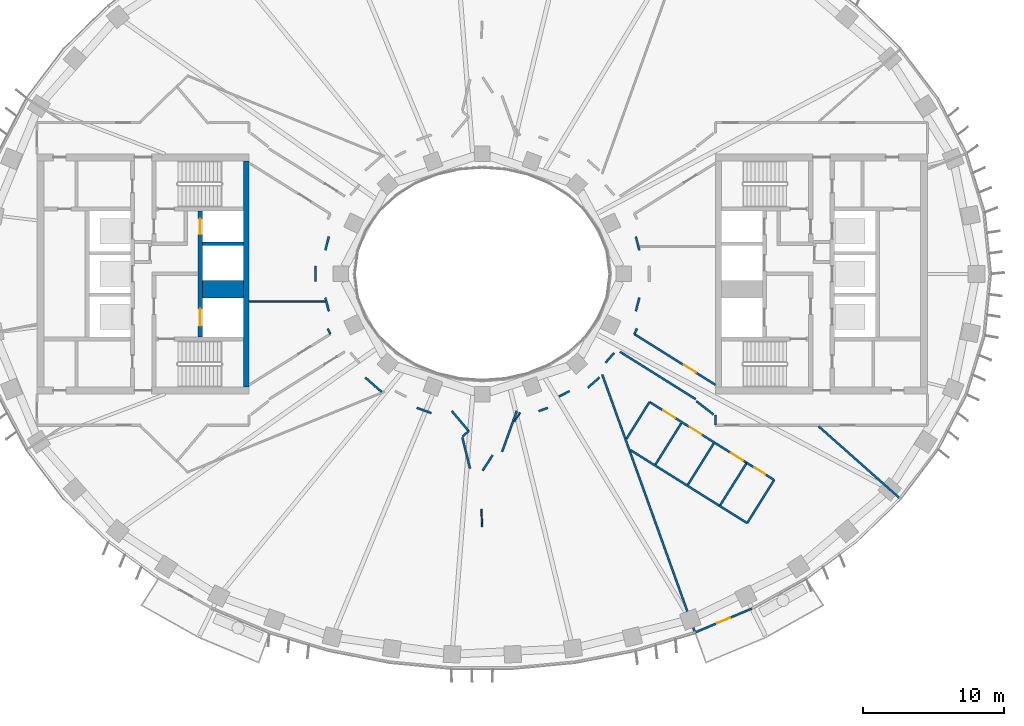
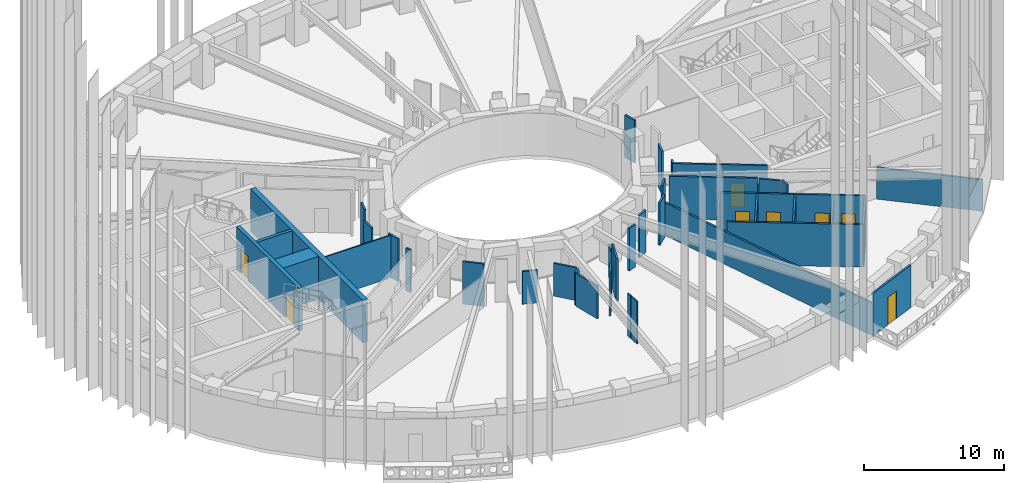
# One storey, part 4 of 19: 43 walls, 8 doors, 8 openings.
"""IFC4 building model written with IfcOpenShell, lengths in metres."""

from ifc_helpers import new_model, si_unit, direction, frame, frame_2d, origin, place, context, subcontext, project, spatial, rectangle, extrude, material, layer, layer_set, type_object, element, fill, save


model = new_model("IFC4")

# Units and contexts
model_context = context("Model", 3, precision=1e-05, world=origin(), true_north=direction((0.0, 1.0)))
body_context = subcontext(model_context, "Body", "Model", "MODEL_VIEW")
ifc_project = project(units=[si_unit("LENGTHUNIT", "METRE"), si_unit("AREAUNIT", "SQUARE_METRE"), si_unit("VOLUMEUNIT", "CUBIC_METRE"), si_unit("PLANEANGLEUNIT", "RADIAN"), si_unit("MASSUNIT", "GRAM", prefix="KILO")], contexts=[model_context])

# Site, building, storey
site_placement = place(None, origin())
site = spatial("IfcSite", under=ifc_project, at=site_placement, CompositionType="ELEMENT")
building_placement = place(site_placement, origin())
building = spatial("IfcBuilding", under=site, at=building_placement, Name="Noorbagh Ring Tower", CompositionType="ELEMENT")
storey_placement = place(building_placement, frame((0.0, 0.0, 146.0)))
storey = spatial("IfcBuildingStorey", under=building, at=storey_placement, Name="L33", CompositionType="ELEMENT", Elevation=146.0)

# Walls
ifc_material_1 = material(Name="Gypsum board on steel studs", Category="steel")
ifc_layer_1 = layer(ifc_material_1, 0.14990234375)
ifc_layer_set_1 = layer_set([ifc_layer_1], Name="Gypsum board on steel studs")
wall_type_1 = type_object("IfcWallType", Name="COMPARTMENT PARTITION 150 EI 60", PredefinedType="PARTITIONING", material=ifc_layer_set_1)
wall_1_placement = place(storey_placement, frame((16.791015625, -16.408935546875, 0.0), z_axis=(0.0, 0.0, 1.0), x_axis=(0.530602380468, 0.847620855006, 0.0)))
element("IfcWall", 1, at=wall_1_placement, inside=storey, type_object=wall_type_1, Name="L33/wall/P86", PredefinedType="PARTITIONING", context=body_context, shape_type="SweptSolid", body=[
    extrude(rectangle(XDim=3.599609375, YDim=0.14990234375, at=frame_2d((1.7998046875, 0.0))), origin(), (0.0, 0.0, 1.0), 3.699951171875),
])
wall_2_placement = place(storey_placement, frame((16.791015625, -16.408935546875, 0.0), z_axis=(0.0, 0.0, 1.0), x_axis=(0.847577713145, -0.530671292026, 0.0)))
element("IfcWall", 2, at=wall_2_placement, inside=storey, type_object=wall_type_1, Name="L33/wall/P87", PredefinedType="PARTITIONING", context=body_context, shape_type="SweptSolid", body=[
    extrude(rectangle(XDim=2.2841796875, YDim=0.14990234375, at=frame_2d((1.14208984375, 0.0))), origin(), (0.0, 0.0, 1.0), 3.699951171875),
])

# Wall, opening, door
wall_3_placement = place(storey_placement, frame((18.700927734375, -13.35791015625, 0.0), z_axis=(0.0, 0.0, 1.0), x_axis=(0.847704532397, -0.530468684989, 0.0)))
wall_3 = element("IfcWall", 3, at=wall_3_placement, inside=storey, type_object=wall_type_1, Name="L33/wall/P88", PredefinedType="PARTITIONING", context=body_context, shape_type="SweptSolid", body=[
    extrude(rectangle(XDim=2.288818359375, YDim=0.14990234375, at=frame_2d((1.14453125, 0.0))), origin(), (0.0, 0.0, 1.0), 3.699951171875),
])
opening_1_placement = place(wall_3_placement, frame((0.64990234375, 0.0, 0.0)))
opening_1 = element("IfcOpeningElement", 4, at=opening_1_placement, cuts=wall_3, Name="Opening D4", PredefinedType="OPENING", context=body_context, shape_type="SweptSolid", body=[
    extrude(rectangle(XDim=0.89990234375, YDim=2.10009765625, at=frame_2d((0.449951171875, 1.050048828125))), frame((0.0, 0.0849609375, 0.0), z_axis=(0.0, -1.0, 0.0), x_axis=(1.0, 0.0, 0.0)), (0.0, 0.0, 1.0), 0.169921875),
])
ifc_material_2 = material(Name="Timber, painted", Category="wood")
door_type_1 = type_object("IfcDoorType", Name="DOOR 900 X 2100 FD60", OperationType="SINGLE_SWING_LEFT", PredefinedType="DOOR", material=ifc_material_2)
door_1_placement = place(opening_1_placement, origin())
door_1 = element("IfcDoor", 5, at=door_1_placement, inside=storey, type_object=door_type_1, Name="L33-D05", OperationType="SINGLE_SWING_LEFT", OverallHeight=2.10009765625, OverallWidth=0.89990234375, PredefinedType="DOOR", context=body_context, shape_type="SweptSolid", body=[
    extrude(rectangle(XDim=0.89990234375, YDim=2.10009765625, at=frame_2d((0.449951171875, 1.050048828125))), frame((0.0, 0.02490234375, 0.0), z_axis=(0.0, -1.0, 0.0), x_axis=(1.0, 0.0, 0.0)), (0.0, 0.0, 1.0), 0.050048828125),
])
fill(opening_1, door_1)

# Walls
wall_4_placement = place(storey_placement, frame((18.73291015625, -17.6201171875, 0.0), z_axis=(0.0, 0.0, 1.0), x_axis=(0.530627347961, 0.847605225088, 0.0)))
element("IfcWall", 6, at=wall_4_placement, inside=storey, type_object=wall_type_1, Name="L33/wall/P89", PredefinedType="PARTITIONING", context=body_context, shape_type="SweptSolid", body=[
    extrude(rectangle(XDim=3.59619140625, YDim=0.14990234375, at=frame_2d((1.798095703125, 0.0))), origin(), (0.0, 0.0, 1.0), 3.699951171875),
])
ifc_material_3 = material(Name="Concrete C60/75", Category="concrete")
ifc_layer_2 = layer(ifc_material_3, 1.25)
ifc_layer_set_2 = layer_set([ifc_layer_2], Name="Concrete C60/75")
wall_type_2 = type_object("IfcWallType", Name="CORE-WALL-1250-C60-75-EI120", PredefinedType="SHEAR", material=ifc_layer_set_2)
wall_5_placement = place(storey_placement, frame((-16.89990234375, -1.074951171875, 0.0), z_axis=(0.0, 0.0, 1.0), x_axis=(-1.0, 0.0, 0.0)))
element("IfcWall", 7, at=wall_5_placement, inside=storey, type_object=wall_type_2, Name="Core wall W", PredefinedType="SHEAR", context=body_context, shape_type="SweptSolid", body=[
    extrude(rectangle(XDim=2.900146484375, YDim=1.25, at=frame_2d((1.4501953125, 0.0))), origin(), (0.0, 0.0, 1.0), 3.699951171875),
])
ifc_material_4 = material(Name="Concrete C60/75", Category="concrete")
ifc_layer_3 = layer(ifc_material_4, 0.25)
ifc_layer_set_3 = layer_set([ifc_layer_3], Name="Concrete C60/75")
wall_type_3 = type_object("IfcWallType", Name="CORE-WALL-250-C60-75-EI120", PredefinedType="SHEAR", material=ifc_layer_set_3)
wall_6_placement = place(storey_placement, frame((-16.89990234375, 2.125, 0.0), z_axis=(0.0, 0.0, 1.0), x_axis=(-1.0, 0.0, 0.0)))
element("IfcWall", 8, at=wall_6_placement, inside=storey, type_object=wall_type_3, Name="Core wall W", PredefinedType="SHEAR", context=body_context, shape_type="SweptSolid", body=[
    extrude(rectangle(XDim=2.900146484375, YDim=0.25, at=frame_2d((1.4501953125, 0.0))), origin(), (0.0, 0.0, 1.0), 3.699951171875),
])

# Wall, openings, doors
ifc_material_5 = material(Name="Concrete C60/75", Category="concrete")
ifc_layer_4 = layer(ifc_material_5, 0.300048828125)
ifc_layer_set_4 = layer_set([ifc_layer_4], Name="Concrete C60/75")
wall_type_4 = type_object("IfcWallType", Name="CORE-WALL-300-C60-75-EI120", PredefinedType="SHEAR", material=ifc_layer_set_4)
wall_7_placement = place(storey_placement, frame((-19.949951171875, -4.449951171875, 0.0), z_axis=(0.0, 0.0, 1.0), x_axis=(0.0, 1.0, 0.0)))
wall_7 = element("IfcWall", 9, at=wall_7_placement, inside=storey, type_object=wall_type_4, Name="Core wall W", PredefinedType="SHEAR", context=body_context, shape_type="SweptSolid", body=[
    extrude(rectangle(XDim=8.89990234375, YDim=0.300048828125, at=frame_2d((4.449951171875, 0.0))), origin(), (0.0, 0.0, 1.0), 3.699951171875),
])
opening_2_placement = place(wall_7_placement, frame((0.77490234375, 0.0, 0.0)))
opening_2 = element("IfcOpeningElement", 10, at=opening_2_placement, cuts=wall_7, Name="Opening L33-CW01", PredefinedType="OPENING", context=body_context, shape_type="SweptSolid", body=[
    extrude(rectangle(XDim=1.199951171875, YDim=2.10009765625, at=frame_2d((0.60009765625, 1.050048828125))), frame((0.0, 0.16015625, 0.0), z_axis=(0.0, -1.0, 0.0), x_axis=(1.0, 0.0, 0.0)), (0.0, 0.0, 1.0), 0.320068359375),
])
opening_3_placement = place(wall_7_placement, frame((7.25, 0.0, 0.0)))
opening_3 = element("IfcOpeningElement", 11, at=opening_3_placement, cuts=wall_7, Name="Opening L33-CW02", PredefinedType="OPENING", context=body_context, shape_type="SweptSolid", body=[
    extrude(rectangle(XDim=1.10009765625, YDim=2.10009765625, at=frame_2d((0.550048828125, 1.050048828125))), frame((0.0, 0.16015625, 0.0), z_axis=(0.0, -1.0, 0.0), x_axis=(1.0, 0.0, 0.0)), (0.0, 0.0, 1.0), 0.320068359375),
])
ifc_material_6 = material(Name="Steel door leaf", Category="steel")
door_type_2 = type_object("IfcDoorType", Name="CORE-DOOR-LD", OperationType="DOUBLE_DOOR_SLIDING", PredefinedType="DOOR", material=ifc_material_6)
door_2_placement = place(opening_3_placement, origin())
door_2 = element("IfcDoor", 12, at=door_2_placement, inside=storey, type_object=door_type_2, Name="Landing door HR1 L33-CW02", OperationType="DOUBLE_DOOR_SLIDING", OverallHeight=2.10009765625, OverallWidth=1.10009765625, PredefinedType="DOOR", context=body_context, shape_type="SweptSolid", body=[
    extrude(rectangle(XDim=1.10009765625, YDim=2.10009765625, at=frame_2d((0.550048828125, 1.050048828125))), frame((0.0, 0.02490234375, 0.0), z_axis=(0.0, -1.0, 0.0), x_axis=(1.0, 0.0, 0.0)), (0.0, 0.0, 1.0), 0.050048828125),
])
fill(opening_3, door_2)
ifc_material_7 = material(Name="Steel door leaf", Category="steel")
door_type_3 = type_object("IfcDoorType", Name="CORE-DOOR-LDW", OperationType="DOUBLE_DOOR_SLIDING", PredefinedType="DOOR", material=ifc_material_7)
door_3_placement = place(opening_2_placement, origin())
door_3 = element("IfcDoor", 13, at=door_3_placement, inside=storey, type_object=door_type_3, Name="Landing door FF1 L33-CW01", OperationType="DOUBLE_DOOR_SLIDING", OverallHeight=2.10009765625, OverallWidth=1.199951171875, PredefinedType="DOOR", context=body_context, shape_type="SweptSolid", body=[
    extrude(rectangle(XDim=1.199951171875, YDim=2.10009765625, at=frame_2d((0.60009765625, 1.050048828125))), frame((0.0, 0.02490234375, 0.0), z_axis=(0.0, -1.0, 0.0), x_axis=(1.0, 0.0, 0.0)), (0.0, 0.0, 1.0), 0.050048828125),
])
fill(opening_2, door_3)

# Walls
ifc_material_8 = material(Name="Concrete C60/75", Category="concrete")
ifc_layer_5 = layer(ifc_material_8, 0.39990234375)
ifc_layer_set_5 = layer_set([ifc_layer_5], Name="Concrete C60/75")
wall_type_5 = type_object("IfcWallType", Name="CORE-WALL-400-C60-75-EI240", PredefinedType="SHEAR", material=ifc_layer_set_5)
wall_8_placement = place(storey_placement, frame((-16.699951171875, -8.0, 0.0), z_axis=(0.0, 0.0, 1.0), x_axis=(0.0, 1.0, 0.0)))
element("IfcWall", 14, at=wall_8_placement, inside=storey, type_object=wall_type_5, Name="Core wall W", PredefinedType="SHEAR", context=body_context, shape_type="SweptSolid", body=[
    extrude(rectangle(XDim=16.0, YDim=0.39990234375, at=frame_2d((8.0, 0.0))), origin(), (0.0, 0.0, 1.0), 3.699951171875),
])
ifc_material_9 = material(Name="Gypsum board on steel studs", Category="steel")
ifc_layer_6 = layer(ifc_material_9, 0.14990234375)
ifc_layer_set_6 = layer_set([ifc_layer_6], Name="Gypsum board on steel studs")
wall_type_6 = type_object("IfcWallType", Name="CORRIDOR PARTITION 150 EI 30", PredefinedType="PARTITIONING", material=ifc_layer_set_6)
wall_9_placement = place(storey_placement, frame((-11.80810546875, -0.550048828125, 0.0), z_axis=(0.0, 0.0, 1.0), x_axis=(0.0, 1.0, 0.0)))
element("IfcWall", 15, at=wall_9_placement, inside=storey, type_object=wall_type_6, Name="L33/wall/P25", PredefinedType="PARTITIONING", context=body_context, shape_type="SweptSolid", body=[
    extrude(rectangle(XDim=1.10009765625, YDim=0.14990234375, at=frame_2d((0.550048828125, 0.0))), origin(), (0.0, 0.0, 1.0), 3.699951171875),
])
for number, where, z_axis, x_axis, name in (
    (16, (-11.10595703125, -1.677001953125, 0.0), (0.0, 0.0, 1.0), (0.251541813796, -0.967846431988, 0.0), "L33/wall/P26"),
    (17, (-11.10595703125, 1.677001953125, 0.0), (0.0, 0.0, 1.0), (0.251541813796, 0.967846431988, 0.0), "L33/wall/P27"),
):
    element("IfcWall", number, at=place(storey_placement, frame(where, z_axis=z_axis, x_axis=x_axis)), inside=storey, type_object=wall_type_6, Name=name, PredefinedType="PARTITIONING", context=body_context, shape_type="SweptSolid", body=[
        extrude(rectangle(XDim=0.993896484375, YDim=0.14990234375, at=frame_2d((0.4970703125, 0.0))), origin(), (0.0, 0.0, 1.0), 3.699951171875),
    ])
wall_10_placement = place(storey_placement, frame((-10.93798828125, -3.863037109375, 0.0), z_axis=(0.0, 0.0, 1.0), x_axis=(0.429758433873, -0.90294390109, 0.0)))
element("IfcWall", 18, at=wall_10_placement, inside=storey, type_object=wall_type_6, Name="L33/wall/P28", PredefinedType="PARTITIONING", context=body_context, shape_type="SweptSolid", body=[
    extrude(rectangle(XDim=0.432861328125, YDim=0.14990234375, at=frame_2d((0.21630859375, 0.0))), origin(), (0.0, 0.0, 1.0), 3.699951171875),
])
wall_11_placement = place(storey_placement, frame((-8.283935546875, -7.322021484375, 0.0), z_axis=(0.0, 0.0, 1.0), x_axis=(0.750666784408, -0.660680996235, 0.0)))
element("IfcWall", 19, at=wall_11_placement, inside=storey, type_object=wall_type_6, Name="L33/wall/P32", PredefinedType="PARTITIONING", context=body_context, shape_type="SweptSolid", body=[
    extrude(rectangle(XDim=1.5546875, YDim=0.14990234375, at=frame_2d((0.77734375, 0.0))), origin(), (0.0, 0.0, 1.0), 3.699951171875),
])
wall_12_placement = place(storey_placement, frame((-4.635986328125, -9.468017578125, 0.0), z_axis=(0.0, 0.0, 1.0), x_axis=(0.939117611585, -0.343595855054, 0.0)))
element("IfcWall", 20, at=wall_12_placement, inside=storey, type_object=wall_type_6, Name="L33/wall/P36", PredefinedType="PARTITIONING", context=body_context, shape_type="SweptSolid", body=[
    extrude(rectangle(XDim=1.099853515625, YDim=0.14990234375, at=frame_2d((0.5498046875, 0.0))), origin(), (0.0, 0.0, 1.0), 2.85009765625),
])
wall_13_placement = place(storey_placement, frame((-2.160888671875, -9.698974609375, 0.0), z_axis=(0.0, 0.0, 1.0), x_axis=(0.646284963147, -0.763096158036, 0.0)))
element("IfcWall", 21, at=wall_13_placement, inside=storey, type_object=wall_type_6, Name="L33/wall/P38", PredefinedType="PARTITIONING", context=body_context, shape_type="SweptSolid", body=[
    extrude(rectangle(XDim=1.851806640625, YDim=0.14990234375, at=frame_2d((0.92578125, 0.0))), origin(), (0.0, 0.0, 1.0), 2.85009765625),
])
wall_14_placement = place(storey_placement, frame((-1.4130859375, -11.571044921875, 0.0), z_axis=(0.0, 0.0, 1.0), x_axis=(0.239729563679, -0.970839706799, 0.0)))
element("IfcWall", 22, at=wall_14_placement, inside=storey, type_object=wall_type_6, Name="L33/wall/P40", PredefinedType="PARTITIONING", context=body_context, shape_type="SweptSolid", body=[
    extrude(rectangle(XDim=2.252685546875, YDim=0.14990234375, at=frame_2d((1.12646484375, 0.0))), origin(), (0.0, 0.0, 1.0), 2.85009765625),
])
wall_15_placement = place(storey_placement, frame((-1.409912109375, -11.507080078125, 0.0), z_axis=(0.0, 0.0, 1.0), x_axis=(0.748448660452, 0.663192734179, 0.0)))
element("IfcWall", 23, at=wall_15_placement, inside=storey, type_object=wall_type_6, Name="L33/wall/P42", PredefinedType="PARTITIONING", context=body_context, shape_type="SweptSolid", body=[
    extrude(rectangle(XDim=0.595703125, YDim=0.14990234375, at=frame_2d((0.2978515625, 0.0))), origin(), (0.0, 0.0, 1.0), 2.85009765625),
])
wall_16_placement = place(storey_placement, frame((0.02001953125, -13.908935546875, 0.0), z_axis=(0.0, 0.0, 1.0), x_axis=(0.545094347518, 0.838374708769, 0.0)))
element("IfcWall", 24, at=wall_16_placement, inside=storey, type_object=wall_type_6, Name="L33/wall/P49", PredefinedType="PARTITIONING", context=body_context, shape_type="SweptSolid", body=[
    extrude(rectangle(XDim=1.29541015625, YDim=0.14990234375, at=frame_2d((0.647705078125, 0.0))), origin(), (0.0, 0.0, 1.0), 3.699951171875),
])
wall_17_placement = place(storey_placement, frame((1.39599609375, -12.5810546875, 0.0), z_axis=(0.0, 0.0, 1.0), x_axis=(0.338582910265, 0.940936561558, 0.0)))
element("IfcWall", 25, at=wall_17_placement, inside=storey, type_object=wall_type_6, Name="L33/wall/P52", PredefinedType="PARTITIONING", context=body_context, shape_type="SweptSolid", body=[
    extrude(rectangle(XDim=1.899169921875, YDim=0.14990234375, at=frame_2d((0.94970703125, 0.0))), origin(), (0.0, 0.0, 1.0), 3.699951171875),
])
wall_18_placement = place(storey_placement, frame((2.0439453125, -10.780029296875, 0.0), z_axis=(0.0, 0.0, 1.0), x_axis=(0.338399406306, 0.941002572691, 0.0)))
element("IfcWall", 26, at=wall_18_placement, inside=storey, type_object=wall_type_6, Name="L33/wall/P53", PredefinedType="PARTITIONING", context=body_context, shape_type="SweptSolid", body=[
    extrude(rectangle(XDim=1.16162109375, YDim=0.14990234375, at=frame_2d((0.580810546875, 0.0))), origin(), (0.0, 0.0, 1.0), 2.85009765625),
])
wall_19_placement = place(storey_placement, frame((3.98291015625, -9.70703125, 0.0), z_axis=(0.0, 0.0, 1.0), x_axis=(0.939084167001, 0.343687252147, 0.0)))
element("IfcWall", 27, at=wall_19_placement, inside=storey, type_object=wall_type_6, Name="L33/wall/P57", PredefinedType="PARTITIONING", context=body_context, shape_type="SweptSolid", body=[
    extrude(rectangle(XDim=0.695556640625, YDim=0.14990234375, at=frame_2d((0.34765625, 0.0))), origin(), (0.0, 0.0, 1.0), 3.699951171875),
])
wall_20_placement = place(storey_placement, frame((5.4169921875, -8.673095703125, 0.0), z_axis=(0.0, 0.0, 1.0), x_axis=(0.889398654128, 0.457132403178, 0.0)))
element("IfcWall", 28, at=wall_20_placement, inside=storey, type_object=wall_type_6, Name="L33/wall/P60", PredefinedType="PARTITIONING", context=body_context, shape_type="SweptSolid", body=[
    extrude(rectangle(XDim=0.844482421875, YDim=0.14990234375, at=frame_2d((0.42236328125, 0.0))), origin(), (0.0, 0.0, 1.0), 3.699951171875),
])
wall_21_placement = place(storey_placement, frame((7.4580078125, -8.049072265625, 0.0), z_axis=(0.0, 0.0, 1.0), x_axis=(0.75060787095, 0.660747927782, 0.0)))
element("IfcWall", 29, at=wall_21_placement, inside=storey, type_object=wall_type_6, Name="L33/wall/P61", PredefinedType="PARTITIONING", context=body_context, shape_type="SweptSolid", body=[
    extrude(rectangle(XDim=1.100341796875, YDim=0.14990234375, at=frame_2d((0.55029296875, 0.0))), origin(), (0.0, 0.0, 1.0), 3.699951171875),
])
wall_22_placement = place(storey_placement, frame((8.47802734375, -7.111083984375, 0.0), z_axis=(0.0, 0.0, 1.0), x_axis=(0.338361922043, -0.941016051782, 0.0)))
element("IfcWall", 30, at=wall_22_placement, inside=storey, type_object=wall_type_6, Name="L33/wall/P63", PredefinedType="PARTITIONING", context=body_context, shape_type="SweptSolid", body=[
    extrude(rectangle(XDim=19.417236328125, YDim=0.14990234375, at=frame_2d((9.70849609375, 0.0))), origin(), (0.0, 0.0, 1.0), 2.85009765625),
])
wall_23_placement = place(storey_placement, frame((8.708984375, -6.284912109375, 0.0), z_axis=(0.0, 0.0, 1.0), x_axis=(0.656365478363, 0.754443078578, 0.0)))
element("IfcWall", 31, at=wall_23_placement, inside=storey, type_object=wall_type_6, Name="L33/wall/P65", PredefinedType="PARTITIONING", context=body_context, shape_type="SweptSolid", body=[
    extrude(rectangle(XDim=0.9384765625, YDim=0.14990234375, at=frame_2d((0.46923828125, 0.0))), origin(), (0.0, 0.0, 1.0), 3.699951171875),
])
wall_24_placement = place(storey_placement, frame((9.736083984375, -5.5048828125, 0.0), z_axis=(0.0, 0.0, 1.0), x_axis=(0.847611500167, -0.53061732424, 0.0)))
element("IfcWall", 32, at=wall_24_placement, inside=storey, type_object=wall_type_6, Name="L33/wall/P67", PredefinedType="PARTITIONING", context=body_context, shape_type="SweptSolid", body=[
    extrude(rectangle(XDim=6.3154296875, YDim=0.14990234375, at=frame_2d((3.15771484375, 0.0))), origin(), (0.0, 0.0, 1.0), 3.699951171875),
])
wall_25_placement = place(storey_placement, frame((10.194091796875, -11.660888671875, 0.0), z_axis=(0.0, 0.0, 1.0), x_axis=(0.530355722606, 0.847775210477, 0.0)))
element("IfcWall", 33, at=wall_25_placement, inside=storey, type_object=wall_type_6, Name="L33/wall/P69", PredefinedType="PARTITIONING", context=body_context, shape_type="SweptSolid", body=[
    extrude(rectangle(XDim=3.074951171875, YDim=0.14990234375, at=frame_2d((1.53759765625, 0.0))), origin(), (0.0, 0.0, 1.0), 3.699951171875),
])
wall_26_placement = place(storey_placement, frame((10.48095703125, -12.458984375, 0.0), z_axis=(0.0, 0.0, 1.0), x_axis=(0.847566924978, -0.530688522283, 0.0)))
element("IfcWall", 34, at=wall_26_placement, inside=storey, type_object=wall_type_6, Name="L33/wall/P70", PredefinedType="PARTITIONING", context=body_context, shape_type="SweptSolid", body=[
    extrude(rectangle(XDim=7.44482421875, YDim=0.14990234375, at=frame_2d((3.722412109375, 0.0))), origin(), (0.0, 0.0, 1.0), 3.699951171875),
])
wall_27_placement = place(storey_placement, frame((10.751953125, -4.25390625, 0.0), z_axis=(0.0, 0.0, 1.0), x_axis=(0.429758433873, 0.90294390109, 0.0)))
element("IfcWall", 35, at=wall_27_placement, inside=storey, type_object=wall_type_6, Name="L33/wall/P71", PredefinedType="PARTITIONING", context=body_context, shape_type="SweptSolid", body=[
    extrude(rectangle(XDim=0.432861328125, YDim=0.14990234375, at=frame_2d((0.21630859375, 0.0))), origin(), (0.0, 0.0, 1.0), 3.699951171875),
])

# Wall, opening, door
wall_28_placement = place(storey_placement, frame((10.751953125, -4.25390625, 0.0), z_axis=(0.0, 0.0, 1.0), x_axis=(0.847690706888, -0.530490777917, 0.0)))
wall_28 = element("IfcWall", 36, at=wall_28_placement, inside=storey, type_object=wall_type_6, Name="L33/wall/P72", PredefinedType="PARTITIONING", context=body_context, shape_type="SweptSolid", body=[
    extrude(rectangle(XDim=6.78076171875, YDim=0.14990234375, at=frame_2d((3.390380859375, 0.0))), origin(), (0.0, 0.0, 1.0), 3.699951171875),
])
opening_4_placement = place(wall_28_placement, frame((4.12939453125, 0.0, 0.0)))
opening_4 = element("IfcOpeningElement", 37, at=opening_4_placement, cuts=wall_28, Name="Opening D1", PredefinedType="OPENING", context=body_context, shape_type="SweptSolid", body=[
    extrude(rectangle(XDim=1.0, YDim=2.10009765625, at=frame_2d((0.5, 1.050048828125))), frame((0.0, 0.0849609375, 0.0), z_axis=(0.0, -1.0, 0.0), x_axis=(1.0, 0.0, 0.0)), (0.0, 0.0, 1.0), 0.169921875),
])
ifc_material_10 = material(Name="Timber, painted", Category="wood")
door_type_4 = type_object("IfcDoorType", Name="DOOR 1000 X 2100 FD30", OperationType="SINGLE_SWING_LEFT", PredefinedType="DOOR", material=ifc_material_10)
door_4_placement = place(opening_4_placement, origin())
door_4 = element("IfcDoor", 38, at=door_4_placement, inside=storey, type_object=door_type_4, Name="L33-D17", OperationType="SINGLE_SWING_LEFT", OverallHeight=2.10009765625, OverallWidth=1.0, PredefinedType="DOOR", context=body_context, shape_type="SweptSolid", body=[
    extrude(rectangle(XDim=1.0, YDim=2.10009765625, at=frame_2d((0.5, 1.050048828125))), frame((0.0, 0.02490234375, 0.0), z_axis=(0.0, -1.0, 0.0), x_axis=(1.0, 0.0, 0.0)), (0.0, 0.0, 1.0), 0.050048828125),
])
fill(opening_4, door_4)

# Walls
for number, where, z_axis, x_axis, name in (
    (39, (10.85595703125, -2.638916015625, 0.0), (0.0, 0.0, 1.0), (0.251541813796, 0.967846431988, 0.0), "L33/wall/P75"),
    (40, (10.85595703125, 2.638916015625, 0.0), (0.0, 0.0, 1.0), (0.251541813796, -0.967846431988, 0.0), "L33/wall/P76"),
):
    element("IfcWall", number, at=place(storey_placement, frame(where, z_axis=z_axis, x_axis=x_axis)), inside=storey, type_object=wall_type_6, Name=name, PredefinedType="PARTITIONING", context=body_context, shape_type="SweptSolid", body=[
        extrude(rectangle(XDim=0.993896484375, YDim=0.14990234375, at=frame_2d((0.4970703125, 0.0))), origin(), (0.0, 0.0, 1.0), 3.699951171875),
    ])

# Wall, openings, doors
wall_29_placement = place(storey_placement, frame((11.824951171875, -9.052978515625, 0.0), z_axis=(0.0, 0.0, 1.0), x_axis=(0.847585513821, -0.530658832737, 0.0)))
wall_29 = element("IfcWall", 41, at=wall_29_placement, inside=storey, type_object=wall_type_6, Name="L33/wall/P79", PredefinedType="PARTITIONING", context=body_context, shape_type="SweptSolid", body=[
    extrude(rectangle(XDim=8.112548828125, YDim=0.14990234375, at=frame_2d((4.05615234375, 0.0))), origin(), (0.0, 0.0, 1.0), 3.699951171875),
])
opening_5_placement = place(wall_29_placement, frame((1.150390625, 0.0, 0.0)))
opening_5 = element("IfcOpeningElement", 42, at=opening_5_placement, cuts=wall_29, Name="Opening D3", PredefinedType="OPENING", context=body_context, shape_type="SweptSolid", body=[
    extrude(rectangle(XDim=1.0, YDim=2.10009765625, at=frame_2d((0.5, 1.050048828125))), frame((0.0, 0.0849609375, 0.0), z_axis=(0.0, -1.0, 0.0), x_axis=(1.0, 0.0, 0.0)), (0.0, 0.0, 1.0), 0.169921875),
])
opening_6_placement = place(wall_29_placement, frame((3.354736328125, 0.0, 0.0)))
opening_6 = element("IfcOpeningElement", 43, at=opening_6_placement, cuts=wall_29, Name="Opening D3", PredefinedType="OPENING", context=body_context, shape_type="SweptSolid", body=[
    extrude(rectangle(XDim=1.0, YDim=2.10009765625, at=frame_2d((0.5, 1.050048828125))), frame((0.0, 0.0849609375, 0.0), z_axis=(0.0, -1.0, 0.0), x_axis=(1.0, 0.0, 0.0)), (0.0, 0.0, 1.0), 0.169921875),
])
opening_7_placement = place(wall_29_placement, frame((6.808349609375, 0.0, 0.0)))
opening_7 = element("IfcOpeningElement", 44, at=opening_7_placement, cuts=wall_29, Name="Opening D3", PredefinedType="OPENING", context=body_context, shape_type="SweptSolid", body=[
    extrude(rectangle(XDim=1.0, YDim=2.10009765625, at=frame_2d((0.5, 1.050048828125))), frame((0.0, 0.0849609375, 0.0), z_axis=(0.0, -1.0, 0.0), x_axis=(1.0, 0.0, 0.0)), (0.0, 0.0, 1.0), 0.169921875),
])
ifc_material_11 = material(Name="Timber, painted", Category="wood")
door_type_5 = type_object("IfcDoorType", Name="DOOR 1000 X 2100 WC", OperationType="SINGLE_SWING_LEFT", PredefinedType="DOOR", material=ifc_material_11)
door_5_placement = place(opening_5_placement, origin())
door_5 = element("IfcDoor", 45, at=door_5_placement, inside=storey, type_object=door_type_5, Name="L33-D02", OperationType="SINGLE_SWING_RIGHT", OverallHeight=2.10009765625, OverallWidth=1.0, PredefinedType="DOOR", context=body_context, shape_type="SweptSolid", body=[
    extrude(rectangle(XDim=1.0, YDim=2.10009765625, at=frame_2d((0.5, 1.050048828125))), frame((0.0, 0.02490234375, 0.0), z_axis=(0.0, -1.0, 0.0), x_axis=(1.0, 0.0, 0.0)), (0.0, 0.0, 1.0), 0.050048828125),
])
fill(opening_5, door_5)
door_6_placement = place(opening_6_placement, origin())
door_6 = element("IfcDoor", 46, at=door_6_placement, inside=storey, type_object=door_type_5, Name="L33-D03", OperationType="SINGLE_SWING_LEFT", OverallHeight=2.10009765625, OverallWidth=1.0, PredefinedType="DOOR", context=body_context, shape_type="SweptSolid", body=[
    extrude(rectangle(XDim=1.0, YDim=2.10009765625, at=frame_2d((0.5, 1.050048828125))), frame((0.0, 0.02490234375, 0.0), z_axis=(0.0, -1.0, 0.0), x_axis=(1.0, 0.0, 0.0)), (0.0, 0.0, 1.0), 0.050048828125),
])
fill(opening_6, door_6)
door_7_placement = place(opening_7_placement, origin())
door_7 = element("IfcDoor", 47, at=door_7_placement, inside=storey, type_object=door_type_5, Name="L33-D04", OperationType="SINGLE_SWING_RIGHT", OverallHeight=2.10009765625, OverallWidth=1.0, PredefinedType="DOOR", context=body_context, shape_type="SweptSolid", body=[
    extrude(rectangle(XDim=1.0, YDim=2.10009765625, at=frame_2d((0.5, 1.050048828125))), frame((0.0, 0.02490234375, 0.0), z_axis=(0.0, -1.0, 0.0), x_axis=(1.0, 0.0, 0.0)), (0.0, 0.0, 1.0), 0.050048828125),
])
fill(opening_7, door_7)

# Walls
wall_30_placement = place(storey_placement, frame((12.2470703125, -13.47607421875, 0.0), z_axis=(0.0, 0.0, 1.0), x_axis=(0.530603340991, 0.847620253727, 0.0)))
element("IfcWall", 48, at=wall_30_placement, inside=storey, type_object=wall_type_6, Name="L33/wall/P80", PredefinedType="PARTITIONING", context=body_context, shape_type="SweptSolid", body=[
    extrude(rectangle(XDim=3.448486328125, YDim=0.14990234375, at=frame_2d((1.72412109375, 0.0))), origin(), (0.0, 0.0, 1.0), 3.699951171875),
])
wall_31_placement = place(storey_placement, frame((14.5390625, -14.910888671875, 0.0), z_axis=(0.0, 0.0, 1.0), x_axis=(0.530507835566, 0.847680031853, 0.0)))
element("IfcWall", 49, at=wall_31_placement, inside=storey, type_object=wall_type_6, Name="L33/wall/P81", PredefinedType="PARTITIONING", context=body_context, shape_type="SweptSolid", body=[
    extrude(rectangle(XDim=3.44921875, YDim=0.14990234375, at=frame_2d((1.724609375, 0.0))), origin(), (0.0, 0.0, 1.0), 3.699951171875),
])
wall_32_placement = place(storey_placement, frame((16.5, -10.699951171875, 0.0), z_axis=(0.0, 0.0, 1.0), x_axis=(0.0, 1.0, 0.0)))
element("IfcWall", 50, at=wall_32_placement, inside=storey, type_object=wall_type_6, Name="L33/wall/P82", PredefinedType="PARTITIONING", context=body_context, shape_type="SweptSolid", body=[
    extrude(rectangle(XDim=0.73583984375, YDim=0.14990234375, at=frame_2d((0.367919921875, 0.0))), origin(), (0.0, 0.0, 1.0), 3.699951171875),
])
wall_33_placement = place(storey_placement, frame((23.784912109375, -10.778076171875, 0.0), z_axis=(0.0, 0.0, 1.0), x_axis=(0.748616873252, -0.663002848472, 0.0)))
element("IfcWall", 51, at=wall_33_placement, inside=storey, type_object=wall_type_6, Name="L33/wall/P90", PredefinedType="PARTITIONING", context=body_context, shape_type="SweptSolid", body=[
    extrude(rectangle(XDim=7.72216796875, YDim=0.14990234375, at=frame_2d((3.861083984375, 0.0))), origin(), (0.0, 0.0, 1.0), 2.75),
])
wall_34_placement = place(storey_placement, frame((16.35205078125, -9.94189453125, 0.0), z_axis=(0.0, 0.0, 1.0), x_axis=(-0.788950226826, 0.614457109643, 0.0)))
element("IfcWall", 52, at=wall_34_placement, inside=storey, type_object=wall_type_6, Name="L33/wall/P97", PredefinedType="PARTITIONING", context=body_context, shape_type="SweptSolid", body=[
    extrude(rectangle(XDim=1.53759765625, YDim=0.14990234375, at=frame_2d((0.768798828125, 0.0))), origin(), (0.0, 0.0, 1.0), 3.699951171875),
])

# Wall, opening, door
ifc_material_12 = material(Name="Insulated aluminium clad panel", Category="aluminium")
ifc_layer_7 = layer(ifc_material_12, 0.14990234375)
ifc_layer_set_7 = layer_set([ifc_layer_7], Name="Insulated aluminium clad panel")
wall_type_7 = type_object("IfcWallType", Name="ENV-WALL-DOOR", PredefinedType="STANDARD", material=ifc_layer_set_7)
wall_35_placement = place(storey_placement, frame((15.017822265625, -25.368896484375, 0.0), z_axis=(0.0, 0.0, 1.0), x_axis=(0.921816985161, 0.387625393736, 0.0)))
wall_35 = element("IfcWall", 53, at=wall_35_placement, inside=storey, type_object=wall_type_7, Name="Balcony door wall chord 39", PredefinedType="STANDARD", context=body_context, shape_type="SweptSolid", body=[
    extrude(rectangle(XDim=4.42578125, YDim=0.14990234375, at=frame_2d((2.212890625, 0.0))), origin(), (0.0, 0.0, 1.0), 3.699951171875),
])
opening_8_placement = place(wall_35_placement, frame((1.712890625, 0.0, 0.0)))
opening_8 = element("IfcOpeningElement", 54, at=opening_8_placement, cuts=wall_35, Name="Opening D-BL", PredefinedType="OPENING", context=body_context, shape_type="SweptSolid", body=[
    extrude(rectangle(XDim=1.0, YDim=2.39990234375, at=frame_2d((0.5, 1.199951171875))), frame((0.0, 0.0849609375, 0.0), z_axis=(0.0, -1.0, 0.0), x_axis=(1.0, 0.0, 0.0)), (0.0, 0.0, 1.0), 0.169921875),
])
ifc_material_13 = material(Name="Aluminium and glass", Category="aluminium")
door_type_6 = type_object("IfcDoorType", Name="ENV-DOOR-BALCONY", OperationType="SINGLE_SWING_LEFT", PredefinedType="DOOR", material=ifc_material_13)
door_8_placement = place(opening_8_placement, origin())
door_8 = element("IfcDoor", 55, at=door_8_placement, inside=storey, type_object=door_type_6, Name="Balcony door chord 39", OperationType="SINGLE_SWING_RIGHT", OverallHeight=2.39990234375, OverallWidth=1.0, PredefinedType="DOOR", context=body_context, shape_type="SweptSolid", body=[
    extrude(rectangle(XDim=1.0, YDim=2.39990234375, at=frame_2d((0.5, 1.199951171875))), frame((0.0, 0.02490234375, 0.0), z_axis=(0.0, -1.0, 0.0), x_axis=(1.0, 0.0, 0.0)), (0.0, 0.0, 1.0), 0.050048828125),
])
fill(opening_8, door_8)

# Walls
ifc_material_14 = material(Name="Gypsum board on steel studs", Category="steel")
ifc_layer_8 = layer(ifc_material_14, 0.10009765625)
ifc_layer_set_8 = layer_set([ifc_layer_8], Name="Gypsum board on steel studs")
wall_type_8 = type_object("IfcWallType", Name="PARTITION 100 GYPSUM", PredefinedType="PARTITIONING", material=ifc_layer_set_8)
wall_36_placement = place(storey_placement, frame((-16.5, -1.951904296875, 0.0), z_axis=(0.0, 0.0, 1.0), x_axis=(1.0, 0.0, 0.0)))
element("IfcWall", 56, at=wall_36_placement, inside=storey, type_object=wall_type_8, Name="L33/wall/P19", PredefinedType="PARTITIONING", context=body_context, shape_type="SweptSolid", body=[
    extrude(rectangle(XDim=5.384033203125, YDim=0.10009765625, at=frame_2d((2.69189453125, 0.0))), origin(), (0.0, 0.0, 1.0), 3.699951171875),
])
wall_37_placement = place(storey_placement, frame((-0.069091796875, -16.656982421875, 0.0), z_axis=(0.0, 0.0, 1.0), x_axis=(0.047155314158, -0.998887569422, 0.0)))
element("IfcWall", 57, at=wall_37_placement, inside=storey, type_object=wall_type_8, Name="L33/wall/P45", PredefinedType="PARTITIONING", context=body_context, shape_type="SweptSolid", body=[
    extrude(rectangle(XDim=0.424560546875, YDim=0.10009765625, at=frame_2d((0.21240234375, 0.0))), origin(), (0.0, 0.0, 1.0), 3.699951171875),
])
wall_38_placement = place(storey_placement, frame((-0.048095703125, -17.10791015625, 0.0), z_axis=(0.0, 0.0, 1.0), x_axis=(0.047402165034, -0.998875885558, 0.0)))
element("IfcWall", 58, at=wall_38_placement, inside=storey, type_object=wall_type_8, Name="L33/wall/P47", PredefinedType="PARTITIONING", context=body_context, shape_type="SweptSolid", body=[
    extrude(rectangle(XDim=0.782958984375, YDim=0.10009765625, at=frame_2d((0.3916015625, 0.0))), origin(), (0.0, 0.0, 1.0), 3.699951171875),
])
wall_39_placement = place(storey_placement, frame((2.27197265625, -10.427001953125, 0.0), z_axis=(0.0, 0.0, 1.0), x_axis=(0.542357038302, 0.840148107779, 0.0)))
element("IfcWall", 59, at=wall_39_placement, inside=storey, type_object=wall_type_8, Name="L33/wall/P54", PredefinedType="PARTITIONING", context=body_context, shape_type="SweptSolid", body=[
    extrude(rectangle(XDim=0.724853515625, YDim=0.10009765625, at=frame_2d((0.3623046875, 0.0))), origin(), (0.0, 0.0, 1.0), 2.85009765625),
])

save(model, "model.ifc")
